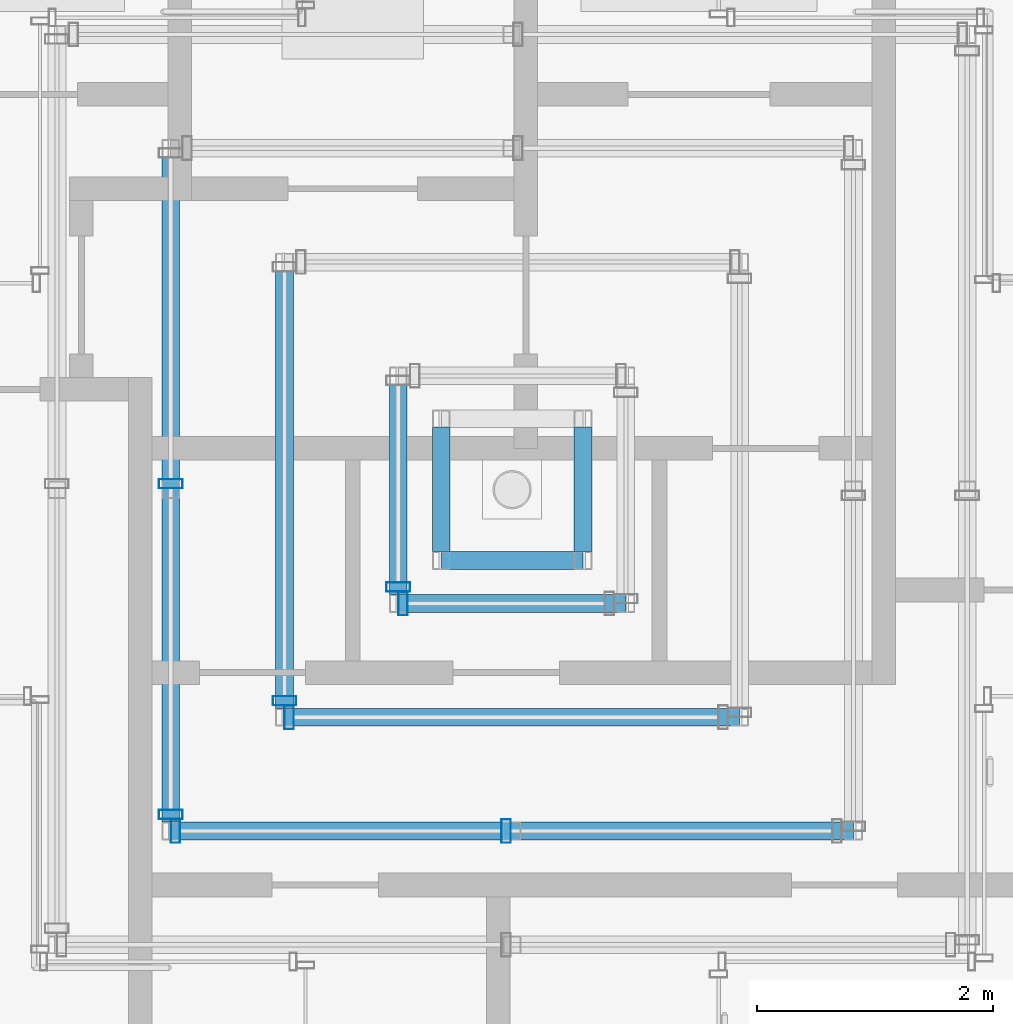
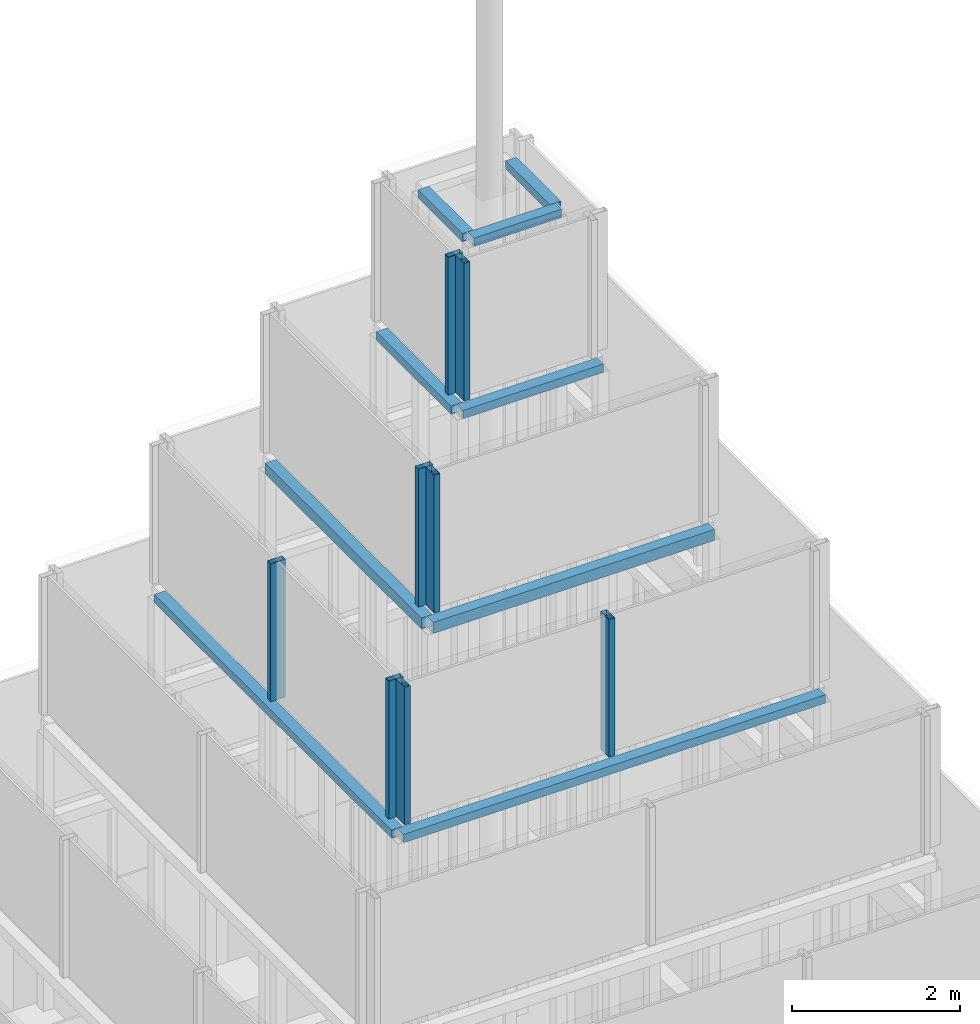
# One storey, part 36 of 62: 9 beams, 8 members, 6 elements without a shape of their own.
"""IFC4 building model written with IfcOpenShell, lengths in metres."""

from ifc_helpers import new_model, si_unit, direction, frame, origin, origin_2d, place, context, subcontext, project, spatial, hollow_rectangle, extrude, material, material_profile, profile_set, type_object, element, aggregate, save


model = new_model("IFC4")

# Units and contexts
model_context = context("Model", 3, precision=1e-05, world=origin(), true_north=direction((0.0, 1.0)))
body_context = subcontext(model_context, "Body", "Model", "MODEL_VIEW")
ifc_project = project(units=[si_unit("LENGTHUNIT", "METRE"), si_unit("AREAUNIT", "SQUARE_METRE"), si_unit("VOLUMEUNIT", "CUBIC_METRE"), si_unit("PLANEANGLEUNIT", "RADIAN"), si_unit("MASSUNIT", "GRAM", prefix="KILO")], contexts=[model_context])

# Site, building, storey
site_placement = place(None, origin())
site = spatial("IfcSite", under=ifc_project, at=site_placement, CompositionType="ELEMENT")
building_placement = place(site_placement, origin())
building = spatial("IfcBuilding", under=site, at=building_placement, Name="Altepetl Exchange Towers", CompositionType="ELEMENT")
storey_placement = place(building_placement, frame((0.0, 0.0, 210.0)))
storey = spatial("IfcBuildingStorey", under=building, at=storey_placement, Name="L53", CompositionType="ELEMENT", Elevation=210.0)

# Beams
ifc_material_1 = material(Name="Steel S355", Category="steel")
ifc_material_profile_1 = material_profile(ifc_material_1, hollow_rectangle(XDim=0.14990234375, YDim=0.1201171875, WallThickness=0.008056640625, at=origin_2d()), Name="RHS 120x150x8")
ifc_profile_set_1 = profile_set([ifc_material_profile_1], Name="Steel S355")
beam_type_1 = type_object("IfcBeamType", Name="Crown ring beam hollow section 150x120x8", PredefinedType="BEAM", material=ifc_profile_set_1)
beam_1_placement = place(storey_placement, frame((107.357177734375, 39.857177734375, 9.840087890625), z_axis=(1.0, 0.0, 0.0), x_axis=(0.0, 1.0, 0.0)))
element("IfcBeam", 1, at=beam_1_placement, inside=storey, type_object=beam_type_1, Name="Crown ring beam", PredefinedType="BEAM", context=body_context, shape_type="SweptSolid", body=[
    extrude(hollow_rectangle(XDim=0.14990234375, YDim=0.1201171875, WallThickness=0.008056640625, at=origin_2d()), origin(), (0.0, 0.0, 1.0), 5.78564453125),
])
beam_2_placement = place(storey_placement, frame((107.357177734375, 45.56787109375, 9.840087890625), z_axis=(0.0, -1.0, 0.0), x_axis=(1.0, 0.0, 0.0)))
element("IfcBeam", 2, at=beam_2_placement, inside=storey, type_object=beam_type_1, Name="Crown ring beam", PredefinedType="BEAM", context=body_context, shape_type="SweptSolid", body=[
    extrude(hollow_rectangle(XDim=0.14990234375, YDim=0.1201171875, WallThickness=0.008056640625, at=origin_2d()), origin(), (0.0, 0.0, 1.0), 5.6357421875),
])
beam_3_placement = place(storey_placement, frame((109.28564453125, 41.78564453125, 14.139892578125), z_axis=(1.0, 0.0, 0.0), x_axis=(0.0, 1.0, 0.0)))
element("IfcBeam", 3, at=beam_3_placement, inside=storey, type_object=beam_type_1, Name="Crown ring beam", PredefinedType="BEAM", context=body_context, shape_type="SweptSolid", body=[
    extrude(hollow_rectangle(XDim=0.14990234375, YDim=0.1201171875, WallThickness=0.008056640625, at=origin_2d()), origin(), (0.0, 0.0, 1.0), 1.9287109375),
])
beam_4_placement = place(storey_placement, frame((109.28564453125, 43.639404296875, 14.139892578125), z_axis=(0.0, -1.0, 0.0), x_axis=(1.0, 0.0, 0.0)))
element("IfcBeam", 4, at=beam_4_placement, inside=storey, type_object=beam_type_1, Name="Crown ring beam", PredefinedType="BEAM", context=body_context, shape_type="SweptSolid", body=[
    extrude(hollow_rectangle(XDim=0.14990234375, YDim=0.1201171875, WallThickness=0.008056640625, at=origin_2d()), origin(), (0.0, 0.0, 1.0), 1.77880859375),
])
beam_5_placement = place(storey_placement, frame((109.64990234375, 42.14990234375, 16.2900390625), z_axis=(1.0, 0.0, 0.0), x_axis=(0.0, 1.0, 0.0)))
element("IfcBeam", 5, at=beam_5_placement, inside=storey, type_object=beam_type_1, Name="Crown ring beam", PredefinedType="BEAM", context=body_context, shape_type="SweptSolid", body=[
    extrude(hollow_rectangle(XDim=0.14990234375, YDim=0.1201171875, WallThickness=0.008056640625, at=origin_2d()), origin(), (0.0, 0.0, 1.0), 1.2001953125),
])
for number, where, z_axis, x_axis, name in (
    (6, (110.85009765625, 42.22509765625, 16.2900390625), (0.0, 1.0, 0.0), (-1.0, 0.0, 0.0), "Crown ring beam"),
    (7, (109.64990234375, 43.27490234375, 16.2900390625), (0.0, -1.0, 0.0), (1.0, 0.0, 0.0), "Crown ring beam"),
):
    element("IfcBeam", number, at=place(storey_placement, frame(where, z_axis=z_axis, x_axis=x_axis)), inside=storey, type_object=beam_type_1, Name=name, PredefinedType="BEAM", context=body_context, shape_type="SweptSolid", body=[
        extrude(hollow_rectangle(XDim=0.14990234375, YDim=0.1201171875, WallThickness=0.008056640625, at=origin_2d()), origin(), (0.0, 0.0, 1.0), 1.0498046875),
    ])
ifc_material_profile_2 = material_profile(ifc_material_1, hollow_rectangle(XDim=0.14990234375, YDim=0.159912109375, WallThickness=0.008056640625, at=origin_2d()), Name="RHS 160x150x8")
ifc_profile_set_2 = profile_set([ifc_material_profile_2], Name="Steel S355")
beam_type_2 = type_object("IfcBeamType", Name="Crown ring beam hollow section 150x160x8", PredefinedType="BEAM", material=ifc_profile_set_2)
beam_6_placement = place(storey_placement, frame((108.321533203125, 40.821533203125, 11.969970703125), z_axis=(1.0, 0.0, 0.0), x_axis=(0.0, 1.0, 0.0)))
element("IfcBeam", 8, at=beam_6_placement, inside=storey, type_object=beam_type_2, Name="Crown ring beam", PredefinedType="BEAM", context=body_context, shape_type="SweptSolid", body=[
    extrude(hollow_rectangle(XDim=0.14990234375, YDim=0.159912109375, WallThickness=0.008056640625, at=origin_2d()), origin(), (0.0, 0.0, 1.0), 3.85693359375),
])
beam_7_placement = place(storey_placement, frame((108.321533203125, 44.603515625, 11.969970703125), z_axis=(0.0, -1.0, 0.0), x_axis=(1.0, 0.0, 0.0)))
element("IfcBeam", 9, at=beam_7_placement, inside=storey, type_object=beam_type_2, Name="Crown ring beam", PredefinedType="BEAM", context=body_context, shape_type="SweptSolid", body=[
    extrude(hollow_rectangle(XDim=0.14990234375, YDim=0.159912109375, WallThickness=0.008056640625, at=origin_2d()), origin(), (0.0, 0.0, 1.0), 3.70703125),
])

# Curtain wall, members
ifc_material_2 = material(Name="Aluminium 6063-T6 glazing", Category="aluminium")
curtain_wall_type = type_object("IfcCurtainWallType", Name="Crown glazing system", PredefinedType="NOTDEFINED", material=ifc_material_2)
curtain_wall_1_placement = place(storey_placement, origin())
curtain_wall_1 = element("IfcCurtainWall", 10, at=curtain_wall_1_placement, inside=storey, type_object=curtain_wall_type, Name="CW7 run", PredefinedType="NOTDEFINED")
ifc_material_3 = material(Name="Aluminium 6063-T6", Category="aluminium")
ifc_material_profile_3 = material_profile(ifc_material_3, hollow_rectangle(XDim=0.080078125, YDim=0.199951171875, WallThickness=0.0029296875, at=origin_2d()), Name="Mullion 80x200 hollow aluminium")
ifc_profile_set_3 = profile_set([ifc_material_profile_3], Name="Aluminium 6063-T6")
member_type = type_object("IfcMemberType", Name="Mullion 80x200 hollow aluminium", PredefinedType="MULLION", material=ifc_profile_set_3)
member_1_placement = place(storey_placement, frame((107.397216796875, 39.857177734375, 10.050048828125)))
member_1 = element("IfcMember", 11, at=member_1_placement, type_object=member_type, Name="MU5 mullion", PredefinedType="MULLION", context=body_context, shape_type="SweptSolid", body=[
    extrude(hollow_rectangle(XDim=0.080078125, YDim=0.199951171875, WallThickness=0.0029296875, at=origin_2d()), origin(), (0.0, 0.0, 1.0), 2.0),
])
member_2_placement = place(storey_placement, frame((110.199951171875, 39.857177734375, 10.050048828125)))
member_2 = element("IfcMember", 12, at=member_2_placement, type_object=member_type, Name="MU5 mullion", PredefinedType="MULLION", context=body_context, shape_type="SweptSolid", body=[
    extrude(hollow_rectangle(XDim=0.080078125, YDim=0.199951171875, WallThickness=0.0029296875, at=origin_2d()), origin(), (0.0, 0.0, 1.0), 2.0),
])
aggregate(curtain_wall_1, [member_1, member_2])

curtain_wall_2_placement = place(storey_placement, origin())
curtain_wall_2 = element("IfcCurtainWall", 13, at=curtain_wall_2_placement, inside=storey, type_object=curtain_wall_type, Name="CW7 run", PredefinedType="NOTDEFINED")
member_3_placement = place(storey_placement, frame((107.357177734375, 42.800048828125, 10.050048828125), z_axis=(0.0, 0.0, 1.0), x_axis=(0.0, -1.0, 0.0)))
member_3 = element("IfcMember", 14, at=member_3_placement, type_object=member_type, Name="MU5 mullion", PredefinedType="MULLION", context=body_context, shape_type="SweptSolid", body=[
    extrude(hollow_rectangle(XDim=0.080078125, YDim=0.199951171875, WallThickness=0.0029296875, at=origin_2d()), origin(), (0.0, 0.0, 1.0), 2.0),
])
member_4_placement = place(storey_placement, frame((107.357177734375, 39.9970703125, 10.050048828125), z_axis=(0.0, 0.0, 1.0), x_axis=(0.0, -1.0, 0.0)))
member_4 = element("IfcMember", 15, at=member_4_placement, type_object=member_type, Name="MU5 mullion", PredefinedType="MULLION", context=body_context, shape_type="SweptSolid", body=[
    extrude(hollow_rectangle(XDim=0.080078125, YDim=0.199951171875, WallThickness=0.0029296875, at=origin_2d()), origin(), (0.0, 0.0, 1.0), 2.0),
])
aggregate(curtain_wall_2, [member_3, member_4])

# Curtain wall, member
curtain_wall_3_placement = place(storey_placement, origin())
curtain_wall_3 = element("IfcCurtainWall", 16, at=curtain_wall_3_placement, inside=storey, type_object=curtain_wall_type, Name="CW7 run", PredefinedType="NOTDEFINED")
member_5_placement = place(storey_placement, frame((108.361328125, 40.821533203125, 12.199951171875)))
member_5 = element("IfcMember", 17, at=member_5_placement, type_object=member_type, Name="MU5 mullion", PredefinedType="MULLION", context=body_context, shape_type="SweptSolid", body=[
    extrude(hollow_rectangle(XDim=0.080078125, YDim=0.199951171875, WallThickness=0.0029296875, at=origin_2d()), origin(), (0.0, 0.0, 1.0), 2.0),
])
aggregate(curtain_wall_3, [member_5])

curtain_wall_4_placement = place(storey_placement, origin())
curtain_wall_4 = element("IfcCurtainWall", 18, at=curtain_wall_4_placement, inside=storey, type_object=curtain_wall_type, Name="CW7 run", PredefinedType="NOTDEFINED")
member_6_placement = place(storey_placement, frame((108.321533203125, 40.96142578125, 12.199951171875), z_axis=(0.0, 0.0, 1.0), x_axis=(0.0, -1.0, 0.0)))
member_6 = element("IfcMember", 19, at=member_6_placement, type_object=member_type, Name="MU5 mullion", PredefinedType="MULLION", context=body_context, shape_type="SweptSolid", body=[
    extrude(hollow_rectangle(XDim=0.080078125, YDim=0.199951171875, WallThickness=0.0029296875, at=origin_2d()), origin(), (0.0, 0.0, 1.0), 2.0),
])
aggregate(curtain_wall_4, [member_6])

curtain_wall_5_placement = place(storey_placement, origin())
curtain_wall_5 = element("IfcCurtainWall", 20, at=curtain_wall_5_placement, inside=storey, type_object=curtain_wall_type, Name="CW7 run", PredefinedType="NOTDEFINED")
member_7_placement = place(storey_placement, frame((109.32568359375, 41.78564453125, 14.35009765625)))
member_7 = element("IfcMember", 21, at=member_7_placement, type_object=member_type, Name="MU5 mullion", PredefinedType="MULLION", context=body_context, shape_type="SweptSolid", body=[
    extrude(hollow_rectangle(XDim=0.080078125, YDim=0.199951171875, WallThickness=0.0029296875, at=origin_2d()), origin(), (0.0, 0.0, 1.0), 2.0),
])
aggregate(curtain_wall_5, [member_7])

curtain_wall_6_placement = place(storey_placement, origin())
curtain_wall_6 = element("IfcCurtainWall", 22, at=curtain_wall_6_placement, inside=storey, type_object=curtain_wall_type, Name="CW7 run", PredefinedType="NOTDEFINED")
member_8_placement = place(storey_placement, frame((109.28564453125, 41.92578125, 14.35009765625), z_axis=(0.0, 0.0, 1.0), x_axis=(0.0, -1.0, 0.0)))
member_8 = element("IfcMember", 23, at=member_8_placement, type_object=member_type, Name="MU5 mullion", PredefinedType="MULLION", context=body_context, shape_type="SweptSolid", body=[
    extrude(hollow_rectangle(XDim=0.080078125, YDim=0.199951171875, WallThickness=0.0029296875, at=origin_2d()), origin(), (0.0, 0.0, 1.0), 2.0),
])
aggregate(curtain_wall_6, [member_8])

save(model, "model.ifc")
